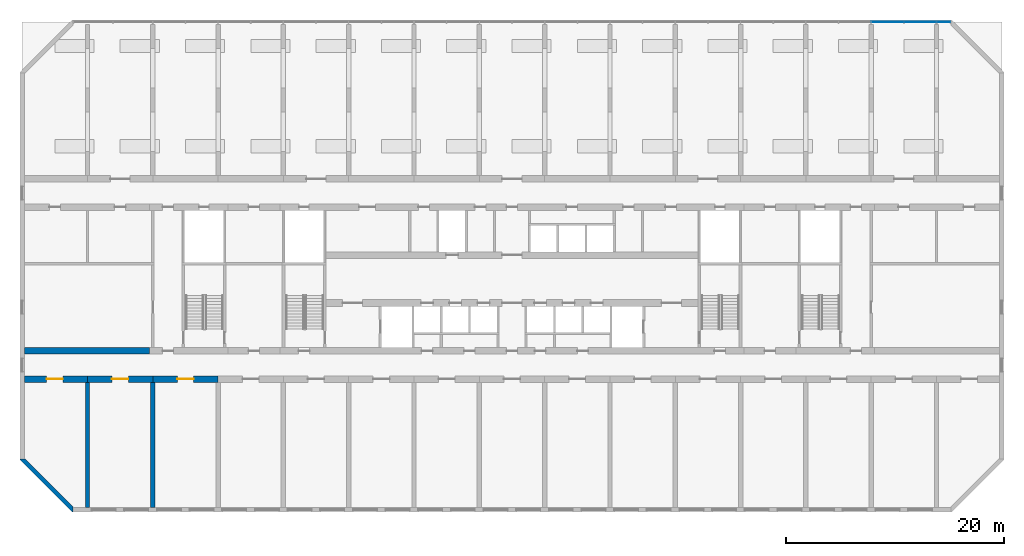
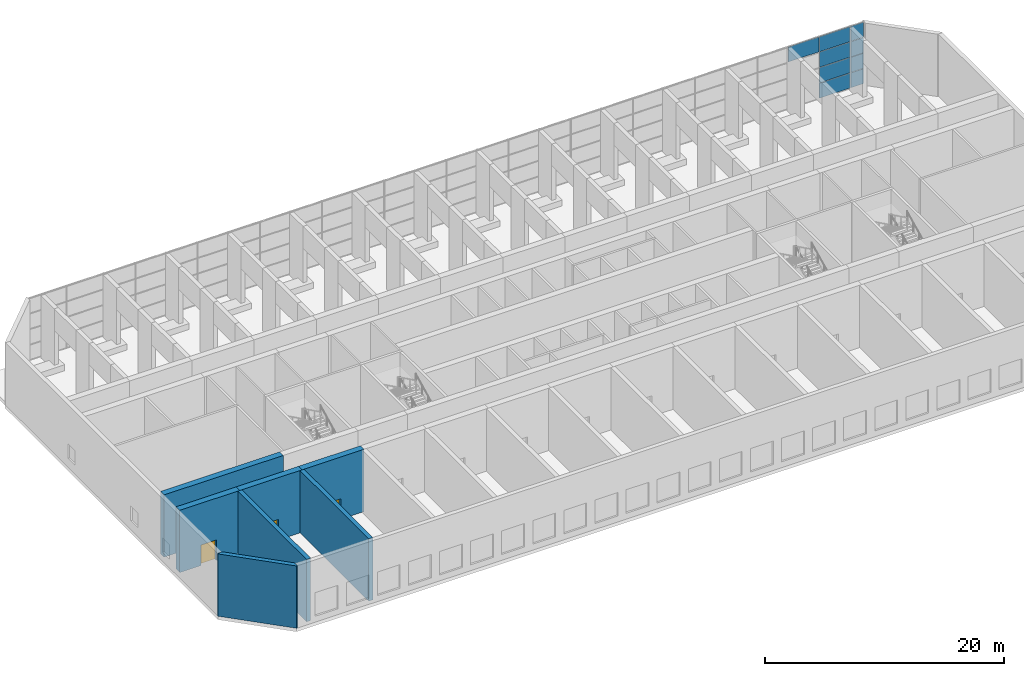
# One storey, part 6 of 15: 9 plates, 7 walls, 3 doors, 3 openings, 2 elements without a shape of their own.
"""IFC4 building model written with IfcOpenShell, lengths in metres."""

import ifcopenshell
import ifcopenshell.guid

model = None  # the IFC model being written
_history = None  # IfcOwnerHistory: only IFC2X3 demands one
_inside = {}  # id of a spatial element -> (the spatial element, [elements in it])
_under = {}  # id of a project, library or spatial element -> (it, [spatial elements below it])
_declared = {}  # id of a project -> (the project, [libraries it declares])
_typed = {}  # id of a type object -> (the type object, [elements of that type])
_made_of = {}  # id of a material, layer set ... -> (it, [elements and type objects made of it])


def new_model(schema):
    """Start an empty IFC model of exactly this schema.

    Asked for "IFC4X3", IfcOpenShell would pick the latest addendum, in which some entities
    have other attributes; the version numbers below select the first issue.
    IFC2X3 requires an IfcOwnerHistory on every rooted entity: one is made here for all.
    """
    global model, _history
    if schema == "IFC4X3":
        model = ifcopenshell.file(schema_version=(4, 3, 0, 0))
    else:
        model = ifcopenshell.file(schema=schema)
    _inside.clear()
    _under.clear()
    _declared.clear()
    _typed.clear()
    _made_of.clear()
    _history = None
    if model.schema == "IFC2X3":
        org = make("IfcOrganization", Name="unknown")
        user = make(
            "IfcPersonAndOrganization",
            ThePerson=make("IfcPerson", FamilyName="unknown"),
            TheOrganization=org,
        )
        app = make(
            "IfcApplication",
            ApplicationDeveloper=org,
            Version="unknown",
            ApplicationFullName="unknown",
            ApplicationIdentifier="unknown",
        )
        _history = make(
            "IfcOwnerHistory",
            OwningUser=user,
            OwningApplication=app,
            ChangeAction="ADDED",
            CreationDate=0,
        )
    return model


def make(cls, **values):
    """One entity of the class cls with the attributes given. An attribute that is None is left unset."""
    return model.create_entity(
        cls, **{name: value for name, value in values.items() if value is not None}
    )


def rooted(cls, **values):
    """An entity with a GlobalId (a new one), such as an element, a storey or a relation."""
    return make(cls, GlobalId=ifcopenshell.guid.new(), OwnerHistory=_history, **values)


def si_unit(unit_type, name, prefix=None):
    """IfcSIUnit, for example si_unit("LENGTHUNIT", "METRE", prefix="MILLI")."""
    return make("IfcSIUnit", UnitType=unit_type, Prefix=prefix, Name=name)


def assignment(units):
    """IfcUnitAssignment: the units of a project."""
    return None if units is None else make("IfcUnitAssignment", Units=units)


def point(xyz):
    """IfcCartesianPoint."""
    return None if xyz is None else make("IfcCartesianPoint", Coordinates=xyz)


def direction(xyz):
    """IfcDirection."""
    return None if xyz is None else make("IfcDirection", DirectionRatios=xyz)


def frame(location, z_axis=None, x_axis=None):
    """IfcAxis2Placement3D, a coordinate frame: its origin and axes. An axis left out is left unset."""
    return make(
        "IfcAxis2Placement3D",
        Location=point(location),
        Axis=direction(z_axis),
        RefDirection=direction(x_axis),
    )


def frame_2d(location, x_axis=None):
    """IfcAxis2Placement2D, a coordinate frame in the plane: its origin and x axis."""
    return make(
        "IfcAxis2Placement2D", Location=point(location), RefDirection=direction(x_axis)
    )


def origin():
    """The frame at (0, 0, 0) with its axes left unset."""
    return frame((0.0, 0.0, 0.0))


def origin_2d():
    """The frame at (0, 0) in the plane with its x axis left unset."""
    return frame_2d((0.0, 0.0))


def place(relative_to, where):
    """IfcLocalPlacement: puts the frame where relative to a parent placement (None: the world)."""
    return make(
        "IfcLocalPlacement", PlacementRelTo=relative_to, RelativePlacement=where
    )


def context(
    kind, dimensions, precision=None, world=None, true_north=None, identifier=None
):
    """IfcGeometricRepresentationContext, for example the 3D "Model" context."""
    return make(
        "IfcGeometricRepresentationContext",
        ContextIdentifier=identifier,
        ContextType=kind,
        CoordinateSpaceDimension=dimensions,
        Precision=precision,
        WorldCoordinateSystem=world,
        TrueNorth=true_north,
    )


def subcontext(parent, identifier, kind, view, scale=None):
    """IfcGeometricRepresentationSubContext, for example "Body" below "Model"."""
    return make(
        "IfcGeometricRepresentationSubContext",
        ContextIdentifier=identifier,
        ContextType=kind,
        ParentContext=parent,
        TargetScale=scale,
        TargetView=view,
    )


def project(units=None, contexts=None):
    """IfcProject with its units and contexts."""
    return rooted(
        "IfcProject",
        Name="project",
        RepresentationContexts=contexts,
        UnitsInContext=assignment(units),
    )


def spatial(cls, under=None, at=None, **own):
    """A site, building, storey or space (cls), placed at a placement, below another one or the project."""
    s = rooted(cls, ObjectPlacement=at, **own)
    if under is not None:
        _under.setdefault(under.id(), (under, []))[1].append(s)
    return s


def polyline(points):
    """IfcPolyline through the points."""
    return make("IfcPolyline", Points=[point(p) for p in points])


def profile(cls, at=None, kind="AREA", **sizes):
    """A parametric profile (cls). Its sizes go by their IFC names, for example OverallWidth=200.0."""
    return make(cls, ProfileType=kind, Position=at, **sizes)


def rectangle(**sizes):
    """IfcRectangleProfileDef."""
    return profile("IfcRectangleProfileDef", **sizes)


def outline(outer, holes=None, kind="AREA"):
    """IfcArbitraryClosedProfileDef: a profile drawn as a closed curve; with holes, ...WithVoids."""
    if holes is None:
        return make("IfcArbitraryClosedProfileDef", ProfileType=kind, OuterCurve=outer)
    return make(
        "IfcArbitraryProfileDefWithVoids",
        ProfileType=kind,
        OuterCurve=outer,
        InnerCurves=holes,
    )


def extrude(swept, where, along, depth):
    """IfcExtrudedAreaSolid: the profile swept, set in the frame where, extruded along a direction by depth."""
    return make(
        "IfcExtrudedAreaSolid",
        SweptArea=swept,
        Position=where,
        ExtrudedDirection=direction(along),
        Depth=depth,
    )


def shape(context_of_items, identifier, shape_type, items):
    """IfcShapeRepresentation: the items that make up one representation, for example the "Body"."""
    return make(
        "IfcShapeRepresentation",
        ContextOfItems=context_of_items,
        RepresentationIdentifier=identifier,
        RepresentationType=shape_type,
        Items=items,
    )


def material(Name=None, Category=None):
    """IfcMaterial."""
    return make("IfcMaterial", Name=Name, Category=Category)


def layer(
    of_material, thickness, ventilated=None, Name=None, Category=None, Priority=None
):
    """IfcMaterialLayer: one layer of a wall or slab, of a material (None: an air gap)."""
    return make(
        "IfcMaterialLayer",
        Material=of_material,
        LayerThickness=thickness,
        IsVentilated=ventilated,
        Name=Name,
        Category=Category,
        Priority=Priority,
    )


def layer_set(layers, Name=None):
    """IfcMaterialLayerSet."""
    return make("IfcMaterialLayerSet", MaterialLayers=layers, LayerSetName=Name)


def made_of(thing, what):
    """Note that an element or type object is made of a material, layer set ...; save() writes the relation."""
    if what is not None:
        _made_of.setdefault(what.id(), (what, []))[1].append(thing)
    return thing


def type_object(cls, material=None, **own):
    """A type object (cls), such as IfcWallType, which elements share."""
    return made_of(rooted(cls, **own), material)


def element(
    cls,
    number,
    at=None,
    inside=None,
    cuts=None,
    type_object=None,
    material=None,
    context=None,
    identifier="Body",
    shape_type=None,
    held_by="IfcProductDefinitionShape",
    body=None,
    shapes=None,
    **own,
):
    """One element of the class cls, such as IfcWall. Its Tag is "e" and its number.

    at: its placement. inside: the storey or other place that contains it. cuts: it is an
    opening in that element (IfcRelVoidsElement). A single representation is given by context,
    identifier, shape_type and body (its items); several are given by shapes. held_by: the class
    of the entity that holds the representations. save() writes the other relations.
    """
    e = rooted(cls, Tag="e%d" % number, ObjectPlacement=at, **own)
    if body is not None:
        shapes = [shape(context, identifier, shape_type, body)]
    if shapes is not None:
        e.Representation = make(held_by, Representations=shapes)
    if inside is not None:
        _inside.setdefault(inside.id(), (inside, []))[1].append(e)
    if cuts is not None:
        rooted(
            "IfcRelVoidsElement", RelatingBuildingElement=cuts, RelatedOpeningElement=e
        )
    if type_object is not None:
        _typed.setdefault(type_object.id(), (type_object, []))[1].append(e)
    return made_of(e, material)


def fill(opening, filler):
    """IfcRelFillsElement: the door or window that sits in an opening."""
    return rooted(
        "IfcRelFillsElement",
        RelatingOpeningElement=opening,
        RelatedBuildingElement=filler,
    )


def aggregate(whole, parts):
    """IfcRelAggregates: a whole, such as a stair, and the parts it consists of."""
    return rooted("IfcRelAggregates", RelatingObject=whole, RelatedObjects=parts)


def save(model, path):
    """Write the relations noted so far, then the file.

    IfcRelAggregates (storeys below a building ...), IfcRelContainedInSpatialStructure (elements
    in a storey), IfcRelDefinesByType, IfcRelAssociatesMaterial and IfcRelDeclares: one each for
    every whole, place, type object, material and project.
    """
    for whole, parts in _under.values():
        aggregate(whole, parts)
    for where, things in _inside.values():
        rooted(
            "IfcRelContainedInSpatialStructure",
            RelatedElements=things,
            RelatingStructure=where,
        )
    for kind, things in _typed.values():
        rooted("IfcRelDefinesByType", RelatedObjects=things, RelatingType=kind)
    for what, things in _made_of.values():
        rooted("IfcRelAssociatesMaterial", RelatedObjects=things, RelatingMaterial=what)
    for by, libraries in _declared.values():
        rooted("IfcRelDeclares", RelatingContext=by, RelatedDefinitions=libraries)
    model.write(path)


model = new_model("IFC4")

# Units and contexts
model_context = context("Model", 3, precision=1e-05, world=origin(), true_north=direction((0.0, 1.0)))
body_context = subcontext(model_context, "Body", "Model", "MODEL_VIEW")
ifc_project = project(units=[si_unit("LENGTHUNIT", "METRE"), si_unit("AREAUNIT", "SQUARE_METRE"), si_unit("VOLUMEUNIT", "CUBIC_METRE"), si_unit("PLANEANGLEUNIT", "RADIAN"), si_unit("MASSUNIT", "GRAM", prefix="KILO")], contexts=[model_context])

# Site, building, storey
site_placement = place(None, origin())
site = spatial("IfcSite", under=ifc_project, at=site_placement, CompositionType="ELEMENT")
building_placement = place(site_placement, origin())
building = spatial("IfcBuilding", under=site, at=building_placement, Name="Poui Terraces", CompositionType="ELEMENT")
storey_placement = place(building_placement, frame((0.0, 0.0, 66.300048828125)))
storey = spatial("IfcBuildingStorey", under=building, at=storey_placement, Name="L18", CompositionType="ELEMENT", Elevation=66.300048828125)

# Curtain wall, plates
ifc_material_1 = material(Name="Clear glass", Category="glass")
ifc_layer_1 = layer(ifc_material_1, 0.159912109375)
ifc_layer_set_1 = layer_set([ifc_layer_1], Name="Clear glass")
curtain_wall_type = type_object("IfcCurtainWallType", Name="CURTAIN WALL CW-D SKY GARDEN GLAZING", PredefinedType="NOTDEFINED", material=ifc_layer_set_1)
curtain_wall_1_placement = place(storey_placement, origin())
curtain_wall_1 = element("IfcCurtainWall", 1, at=curtain_wall_1_placement, inside=storey, type_object=curtain_wall_type, Name="CW-D SKY GARDEN GLAZING", PredefinedType="NOTDEFINED")
ifc_layer_2 = layer(ifc_material_1, 0.052001953125)
ifc_layer_set_2 = layer_set([ifc_layer_2], Name="Clear glass")
plate_type = type_object("IfcPlateType", Name="CW-D GLASS PANEL 52", PredefinedType="CURTAIN_PANEL", material=ifc_layer_set_2)
plate_1_placement = place(storey_placement, frame((88.487548828125, 44.800048828125, 0.0498046875), z_axis=(0.0, 0.0, 1.0), x_axis=(-1.0, 0.0, 0.0)))
plate_1 = element("IfcPlate", 2, at=plate_1_placement, type_object=plate_type, Name="CW-D panel 1.1", PredefinedType="CURTAIN_PANEL", context=body_context, shape_type="SweptSolid", body=[
    extrude(rectangle(XDim=2.925048828125, YDim=0.052001953125, at=origin_2d()), origin(), (0.0, 0.0, 1.0), 1.514892578125),
])
plate_2_placement = place(storey_placement, frame((88.487548828125, 44.800048828125, 1.614990234375), z_axis=(0.0, 0.0, 1.0), x_axis=(-1.0, 0.0, 0.0)))
plate_2 = element("IfcPlate", 3, at=plate_2_placement, type_object=plate_type, Name="CW-D panel 1.2", PredefinedType="CURTAIN_PANEL", context=body_context, shape_type="SweptSolid", body=[
    extrude(rectangle(XDim=2.925048828125, YDim=0.052001953125, at=origin_2d()), origin(), (0.0, 0.0, 1.0), 1.5400390625),
])
plate_3_placement = place(storey_placement, frame((88.487548828125, 44.800048828125, 3.204833984375), z_axis=(0.0, 0.0, 1.0), x_axis=(-1.0, 0.0, 0.0)))
plate_3 = element("IfcPlate", 4, at=plate_3_placement, type_object=plate_type, Name="CW-D panel 1.3", PredefinedType="CURTAIN_PANEL", context=body_context, shape_type="SweptSolid", body=[
    extrude(rectangle(XDim=2.925048828125, YDim=0.052001953125, at=origin_2d()), origin(), (0.0, 0.0, 1.0), 1.5400390625),
])
plate_4_placement = place(storey_placement, frame((88.487548828125, 44.800048828125, 4.794921875), z_axis=(0.0, 0.0, 1.0), x_axis=(-1.0, 0.0, 0.0)))
plate_4 = element("IfcPlate", 5, at=plate_4_placement, type_object=plate_type, Name="CW-D panel 1.4", PredefinedType="CURTAIN_PANEL", context=body_context, shape_type="SweptSolid", body=[
    extrude(rectangle(XDim=2.925048828125, YDim=0.052001953125, at=origin_2d()), origin(), (0.0, 0.0, 1.0), 1.514892578125),
])
plate_5_placement = place(storey_placement, frame((85.5, 44.800048828125, 4.794921875), z_axis=(0.0, 0.0, 1.0), x_axis=(-1.0, 0.0, 0.0)))
plate_5 = element("IfcPlate", 6, at=plate_5_placement, type_object=plate_type, Name="CW-D panel 2.4", PredefinedType="CURTAIN_PANEL", context=body_context, shape_type="SweptSolid", body=[
    extrude(rectangle(XDim=2.949951171875, YDim=0.052001953125, at=origin_2d()), origin(), (0.0, 0.0, 1.0), 1.514892578125),
])
aggregate(curtain_wall_1, [plate_1, plate_2, plate_3, plate_4, plate_5])

curtain_wall_2_placement = place(storey_placement, origin())
curtain_wall_2 = element("IfcCurtainWall", 7, at=curtain_wall_2_placement, inside=storey, type_object=curtain_wall_type, Name="CW-D SKY GARDEN GLAZING", PredefinedType="NOTDEFINED")
plate_6_placement = place(storey_placement, frame((90.65869140625, 44.800048828125, 0.0498046875), z_axis=(0.0, 0.0, 1.0), x_axis=(-1.0, 0.0, 0.0)))
plate_6 = element("IfcPlate", 8, at=plate_6_placement, type_object=plate_type, Name="CW-D panel 1.1", PredefinedType="CURTAIN_PANEL", context=body_context, shape_type="SweptSolid", body=[
    extrude(rectangle(XDim=1.21728515625, YDim=0.052001953125, at=origin_2d()), origin(), (0.0, 0.0, 1.0), 1.514892578125),
])
plate_7_placement = place(storey_placement, frame((90.65869140625, 44.800048828125, 1.614990234375), z_axis=(0.0, 0.0, 1.0), x_axis=(-1.0, 0.0, 0.0)))
plate_7 = element("IfcPlate", 9, at=plate_7_placement, type_object=plate_type, Name="CW-D panel 1.2", PredefinedType="CURTAIN_PANEL", context=body_context, shape_type="SweptSolid", body=[
    extrude(rectangle(XDim=1.21728515625, YDim=0.052001953125, at=origin_2d()), origin(), (0.0, 0.0, 1.0), 1.5400390625),
])
plate_8_placement = place(storey_placement, frame((90.65869140625, 44.800048828125, 3.204833984375), z_axis=(0.0, 0.0, 1.0), x_axis=(-1.0, 0.0, 0.0)))
plate_8 = element("IfcPlate", 10, at=plate_8_placement, type_object=plate_type, Name="CW-D panel 1.3", PredefinedType="CURTAIN_PANEL", context=body_context, shape_type="SweptSolid", body=[
    extrude(rectangle(XDim=1.21728515625, YDim=0.052001953125, at=origin_2d()), origin(), (0.0, 0.0, 1.0), 1.5400390625),
])
plate_9_placement = place(storey_placement, frame((90.65869140625, 44.800048828125, 4.794921875), z_axis=(0.0, 0.0, 1.0), x_axis=(-1.0, 0.0, 0.0)))
plate_9 = element("IfcPlate", 11, at=plate_9_placement, type_object=plate_type, Name="CW-D panel 1.4", PredefinedType="CURTAIN_PANEL", context=body_context, shape_type="SweptSolid", body=[
    extrude(rectangle(XDim=1.21728515625, YDim=0.052001953125, at=origin_2d()), origin(), (0.0, 0.0, 1.0), 1.514892578125),
])
aggregate(curtain_wall_2, [plate_6, plate_7, plate_8, plate_9])

# Wall, opening, door
ifc_material_2 = material(Name="Concrete 80 MPa", Category="concrete")
ifc_layer_3 = layer(ifc_material_2, 0.60009765625)
ifc_layer_set_3 = layer_set([ifc_layer_3], Name="Concrete 80 MPa")
wall_type_1 = type_object("IfcWallType", Name="BELT WALL 600 80MPa", PredefinedType="SHEAR", material=ifc_layer_set_3)
wall_1_placement = place(storey_placement, frame((6.199951171875, 12.0, 0.0), z_axis=(0.0, 0.0, 1.0), x_axis=(1.0, 0.0, 0.0)))
wall_1 = element("IfcWall", 12, at=wall_1_placement, inside=storey, type_object=wall_type_1, Name="BELT WALL LINE B BAY 1", PredefinedType="SHEAR", context=body_context, shape_type="SweptSolid", body=[
    extrude(rectangle(XDim=5.800048828125, YDim=0.60009765625, at=frame_2d((2.89990234375, 0.0))), origin(), (0.0, 0.0, 1.0), 6.35986328125),
])
opening_1_placement = place(wall_1_placement, frame((2.050048828125, 0.0, 0.0)))
opening_1 = element("IfcOpeningElement", 13, at=opening_1_placement, cuts=wall_1, Name="Opening FDP", PredefinedType="OPENING", context=body_context, shape_type="SweptSolid", body=[
    extrude(rectangle(XDim=1.5, YDim=2.10009765625, at=frame_2d((0.75, 1.050048828125))), frame((0.0, 0.31005859375, 0.0), z_axis=(0.0, -1.0, 0.0), x_axis=(1.0, 0.0, 0.0)), (0.0, 0.0, 1.0), 0.6201171875),
])
ifc_material_3 = material(Name="Steel fire door", Category="steel")
door_type = type_object("IfcDoorType", Name="PLANT ROOM DOOR PAIR 1500 X 2100", OperationType="DOUBLE_DOOR_SINGLE_SWING", PredefinedType="DOOR", material=ifc_material_3)
door_1_placement = place(opening_1_placement, origin())
door_1 = element("IfcDoor", 14, at=door_1_placement, inside=storey, type_object=door_type, Name="PLANT ROOM DOOR PAIR 025", OperationType="DOUBLE_DOOR_SINGLE_SWING", OverallHeight=2.10009765625, OverallWidth=1.5, PredefinedType="DOOR", context=body_context, shape_type="SweptSolid", body=[
    extrude(rectangle(XDim=1.5, YDim=2.10009765625, at=frame_2d((0.75, 1.050048828125))), frame((0.0, 0.02490234375, 0.0), z_axis=(0.0, -1.0, 0.0), x_axis=(1.0, 0.0, 0.0)), (0.0, 0.0, 1.0), 0.050048828125),
])
fill(opening_1, door_1)

wall_2_placement = place(storey_placement, frame((12.0, 12.0, 0.0), z_axis=(0.0, 0.0, 1.0), x_axis=(1.0, 0.0, 0.0)))
wall_2 = element("IfcWall", 15, at=wall_2_placement, inside=storey, type_object=wall_type_1, Name="BELT WALL LINE B BAY 2", PredefinedType="SHEAR", context=body_context, shape_type="SweptSolid", body=[
    extrude(rectangle(XDim=6.0, YDim=0.60009765625, at=frame_2d((3.0, 0.0))), origin(), (0.0, 0.0, 1.0), 6.35986328125),
])
opening_2_placement = place(wall_2_placement, frame((2.25, 0.0, 0.0)))
opening_2 = element("IfcOpeningElement", 16, at=opening_2_placement, cuts=wall_2, Name="Opening FDP", PredefinedType="OPENING", context=body_context, shape_type="SweptSolid", body=[
    extrude(rectangle(XDim=1.5, YDim=2.10009765625, at=frame_2d((0.75, 1.050048828125))), frame((0.0, 0.31005859375, 0.0), z_axis=(0.0, -1.0, 0.0), x_axis=(1.0, 0.0, 0.0)), (0.0, 0.0, 1.0), 0.6201171875),
])
door_2_placement = place(opening_2_placement, origin())
door_2 = element("IfcDoor", 17, at=door_2_placement, inside=storey, type_object=door_type, Name="PLANT ROOM DOOR PAIR 026", OperationType="DOUBLE_DOOR_SINGLE_SWING", OverallHeight=2.10009765625, OverallWidth=1.5, PredefinedType="DOOR", context=body_context, shape_type="SweptSolid", body=[
    extrude(rectangle(XDim=1.5, YDim=2.10009765625, at=frame_2d((0.75, 1.050048828125))), frame((0.0, 0.02490234375, 0.0), z_axis=(0.0, -1.0, 0.0), x_axis=(1.0, 0.0, 0.0)), (0.0, 0.0, 1.0), 0.050048828125),
])
fill(opening_2, door_2)

wall_3_placement = place(storey_placement, frame((18.0, 12.0, 0.0), z_axis=(0.0, 0.0, 1.0), x_axis=(1.0, 0.0, 0.0)))
wall_3 = element("IfcWall", 18, at=wall_3_placement, inside=storey, type_object=wall_type_1, Name="BELT WALL LINE B BAY 3", PredefinedType="SHEAR", context=body_context, shape_type="SweptSolid", body=[
    extrude(rectangle(XDim=6.0, YDim=0.60009765625, at=frame_2d((3.0, 0.0))), origin(), (0.0, 0.0, 1.0), 6.35986328125),
])
opening_3_placement = place(wall_3_placement, frame((2.25, 0.0, 0.0)))
opening_3 = element("IfcOpeningElement", 19, at=opening_3_placement, cuts=wall_3, Name="Opening FDP", PredefinedType="OPENING", context=body_context, shape_type="SweptSolid", body=[
    extrude(rectangle(XDim=1.5, YDim=2.10009765625, at=frame_2d((0.75, 1.050048828125))), frame((0.0, 0.31005859375, 0.0), z_axis=(0.0, -1.0, 0.0), x_axis=(1.0, 0.0, 0.0)), (0.0, 0.0, 1.0), 0.6201171875),
])
door_3_placement = place(opening_3_placement, origin())
door_3 = element("IfcDoor", 20, at=door_3_placement, inside=storey, type_object=door_type, Name="PLANT ROOM DOOR PAIR 028", OperationType="DOUBLE_DOOR_SINGLE_SWING", OverallHeight=2.10009765625, OverallWidth=1.5, PredefinedType="DOOR", context=body_context, shape_type="SweptSolid", body=[
    extrude(rectangle(XDim=1.5, YDim=2.10009765625, at=frame_2d((0.75, 1.050048828125))), frame((0.0, 0.02490234375, 0.0), z_axis=(0.0, -1.0, 0.0), x_axis=(1.0, 0.0, 0.0)), (0.0, 0.0, 1.0), 0.050048828125),
])
fill(opening_3, door_3)

# Walls
ifc_layer_4 = layer(ifc_material_2, 0.39990234375)
ifc_layer_set_4 = layer_set([ifc_layer_4], Name="Concrete 80 MPa")
wall_type_2 = type_object("IfcWallType", Name="CROSS WALL 400 80MPa", PredefinedType="SHEAR", material=ifc_layer_set_4)
for number, where, z_axis, x_axis, name in (
    (21, (12.0, 0.199951171875, 0.0), (0.0, 0.0, 1.0), (0.0, 1.0, 0.0), "CROSS WALL LINE 3 SOUTH"),
    (22, (18.0, 0.199951171875, 0.0), (0.0, 0.0, 1.0), (0.0, 1.0, 0.0), "CROSS WALL LINE 4 SOUTH"),
):
    element("IfcWall", number, at=place(storey_placement, frame(where, z_axis=z_axis, x_axis=x_axis)), inside=storey, type_object=wall_type_2, Name=name, PredefinedType="SHEAR", context=body_context, shape_type="SweptSolid", body=[
        extrude(rectangle(XDim=11.5, YDim=0.39990234375, at=frame_2d((5.75, 0.0))), origin(), (0.0, 0.0, 1.0), 6.35986328125),
    ])
ifc_layer_5 = layer(ifc_material_2, 0.60009765625)
ifc_layer_set_5 = layer_set([ifc_layer_5], Name="Concrete 80 MPa")
wall_type_3 = type_object("IfcWallType", Name="OUTRIGGER WALL 600 80MPa", PredefinedType="SHEAR", material=ifc_layer_set_5)
wall_4_placement = place(storey_placement, frame((6.199951171875, 14.60009765625, 0.0), z_axis=(0.0, 0.0, 1.0), x_axis=(1.0, 0.0, 0.0)))
element("IfcWall", 23, at=wall_4_placement, inside=storey, type_object=wall_type_3, Name="OUTRIGGER WALL LINE C W1", PredefinedType="SHEAR", context=body_context, shape_type="SweptSolid", body=[
    extrude(rectangle(XDim=11.5, YDim=0.60009765625, at=frame_2d((5.75, 0.0))), origin(), (0.0, 0.0, 1.0), 6.35986328125),
])
ifc_material_4 = material(Name="Precast concrete 40 MPa", Category="concrete")
ifc_layer_6 = layer(ifc_material_4, 0.39990234375)
ifc_layer_set_6 = layer_set([ifc_layer_6], Name="Precast concrete 40 MPa")
wall_type_4 = type_object("IfcWallType", Name="TERRACOTTA CLAD CHAMFER WALL 400", PredefinedType="STANDARD", material=ifc_layer_set_6)
wall_5_placement = place(storey_placement, origin())
element("IfcWall", 24, at=wall_5_placement, inside=storey, type_object=wall_type_4, Name="CHAMFER WALL CH07", PredefinedType="STANDARD", context=body_context, shape_type="SweptSolid", body=[
    extrude(outline(polyline([(5.800048828125, 4.682861328125), (5.800048828125, 4.60009765625), (10.60009765625, -0.199951171875), (10.682861328125, -0.199951171875), (10.682861328125, 0.28271484375), (6.28271484375, 4.682861328125), (5.800048828125, 4.682861328125)])), origin(), (0.0, 0.0, 1.0), 6.35986328125),
])

save(model, "model.ifc")
